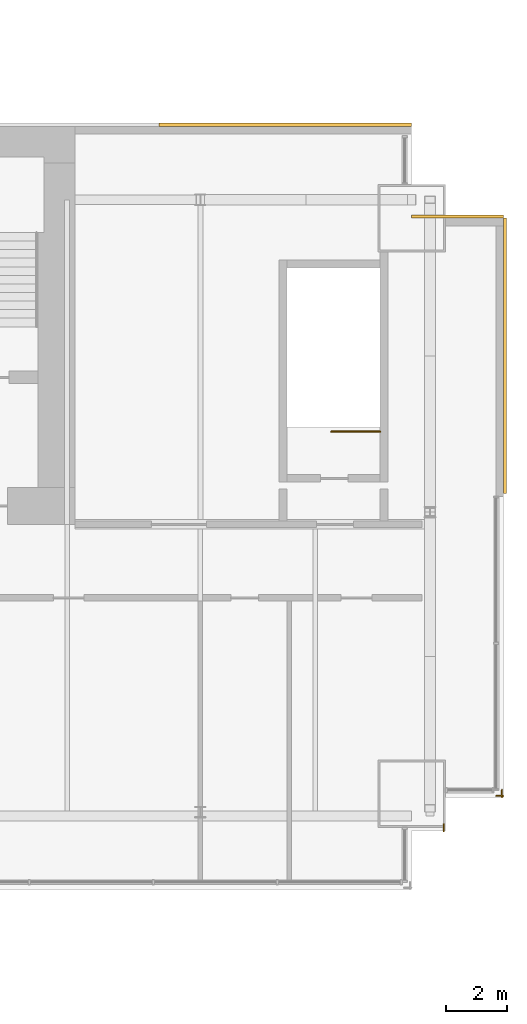
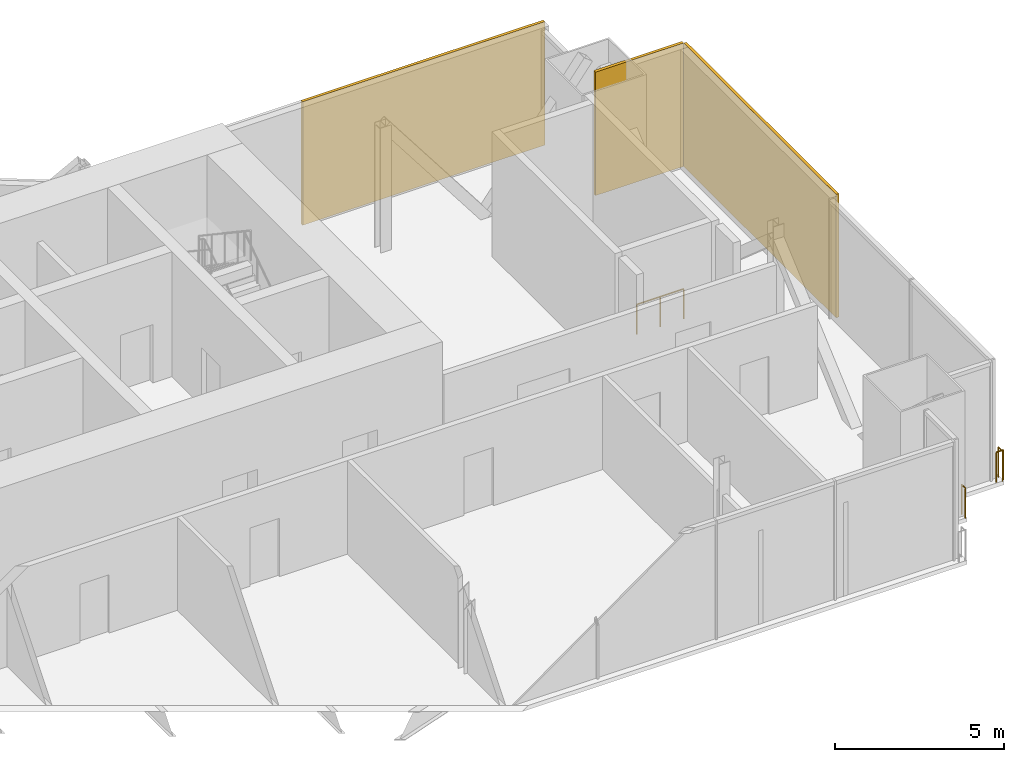
# One storey, part 16 of 16: 3 coverings, 3 railings.
"""IFC4 building model written with IfcOpenShell, lengths in metres."""

import ifcopenshell
import ifcopenshell.guid

model = None  # the IFC model being written
_history = None  # IfcOwnerHistory: only IFC2X3 demands one
_inside = {}  # id of a spatial element -> (the spatial element, [elements in it])
_under = {}  # id of a project, library or spatial element -> (it, [spatial elements below it])
_declared = {}  # id of a project -> (the project, [libraries it declares])
_typed = {}  # id of a type object -> (the type object, [elements of that type])
_made_of = {}  # id of a material, layer set ... -> (it, [elements and type objects made of it])


def new_model(schema):
    """Start an empty IFC model of exactly this schema.

    Asked for "IFC4X3", IfcOpenShell would pick the latest addendum, in which some entities
    have other attributes; the version numbers below select the first issue.
    IFC2X3 requires an IfcOwnerHistory on every rooted entity: one is made here for all.
    """
    global model, _history
    if schema == "IFC4X3":
        model = ifcopenshell.file(schema_version=(4, 3, 0, 0))
    else:
        model = ifcopenshell.file(schema=schema)
    _inside.clear()
    _under.clear()
    _declared.clear()
    _typed.clear()
    _made_of.clear()
    _history = None
    if model.schema == "IFC2X3":
        org = make("IfcOrganization", Name="unknown")
        user = make(
            "IfcPersonAndOrganization",
            ThePerson=make("IfcPerson", FamilyName="unknown"),
            TheOrganization=org,
        )
        app = make(
            "IfcApplication",
            ApplicationDeveloper=org,
            Version="unknown",
            ApplicationFullName="unknown",
            ApplicationIdentifier="unknown",
        )
        _history = make(
            "IfcOwnerHistory",
            OwningUser=user,
            OwningApplication=app,
            ChangeAction="ADDED",
            CreationDate=0,
        )
    return model


def make(cls, **values):
    """One entity of the class cls with the attributes given. An attribute that is None is left unset."""
    return model.create_entity(
        cls, **{name: value for name, value in values.items() if value is not None}
    )


def rooted(cls, **values):
    """An entity with a GlobalId (a new one), such as an element, a storey or a relation."""
    return make(cls, GlobalId=ifcopenshell.guid.new(), OwnerHistory=_history, **values)


def si_unit(unit_type, name, prefix=None):
    """IfcSIUnit, for example si_unit("LENGTHUNIT", "METRE", prefix="MILLI")."""
    return make("IfcSIUnit", UnitType=unit_type, Prefix=prefix, Name=name)


def assignment(units):
    """IfcUnitAssignment: the units of a project."""
    return None if units is None else make("IfcUnitAssignment", Units=units)


def point(xyz):
    """IfcCartesianPoint."""
    return None if xyz is None else make("IfcCartesianPoint", Coordinates=xyz)


def direction(xyz):
    """IfcDirection."""
    return None if xyz is None else make("IfcDirection", DirectionRatios=xyz)


def frame(location, z_axis=None, x_axis=None):
    """IfcAxis2Placement3D, a coordinate frame: its origin and axes. An axis left out is left unset."""
    return make(
        "IfcAxis2Placement3D",
        Location=point(location),
        Axis=direction(z_axis),
        RefDirection=direction(x_axis),
    )


def frame_2d(location, x_axis=None):
    """IfcAxis2Placement2D, a coordinate frame in the plane: its origin and x axis."""
    return make(
        "IfcAxis2Placement2D", Location=point(location), RefDirection=direction(x_axis)
    )


def origin():
    """The frame at (0, 0, 0) with its axes left unset."""
    return frame((0.0, 0.0, 0.0))


def origin_2d():
    """The frame at (0, 0) in the plane with its x axis left unset."""
    return frame_2d((0.0, 0.0))


def place(relative_to, where):
    """IfcLocalPlacement: puts the frame where relative to a parent placement (None: the world)."""
    return make(
        "IfcLocalPlacement", PlacementRelTo=relative_to, RelativePlacement=where
    )


def context(
    kind, dimensions, precision=None, world=None, true_north=None, identifier=None
):
    """IfcGeometricRepresentationContext, for example the 3D "Model" context."""
    return make(
        "IfcGeometricRepresentationContext",
        ContextIdentifier=identifier,
        ContextType=kind,
        CoordinateSpaceDimension=dimensions,
        Precision=precision,
        WorldCoordinateSystem=world,
        TrueNorth=true_north,
    )


def subcontext(parent, identifier, kind, view, scale=None):
    """IfcGeometricRepresentationSubContext, for example "Body" below "Model"."""
    return make(
        "IfcGeometricRepresentationSubContext",
        ContextIdentifier=identifier,
        ContextType=kind,
        ParentContext=parent,
        TargetScale=scale,
        TargetView=view,
    )


def project(units=None, contexts=None):
    """IfcProject with its units and contexts."""
    return rooted(
        "IfcProject",
        Name="project",
        RepresentationContexts=contexts,
        UnitsInContext=assignment(units),
    )


def spatial(cls, under=None, at=None, **own):
    """A site, building, storey or space (cls), placed at a placement, below another one or the project."""
    s = rooted(cls, ObjectPlacement=at, **own)
    if under is not None:
        _under.setdefault(under.id(), (under, []))[1].append(s)
    return s


def profile(cls, at=None, kind="AREA", **sizes):
    """A parametric profile (cls). Its sizes go by their IFC names, for example OverallWidth=200.0."""
    return make(cls, ProfileType=kind, Position=at, **sizes)


def rectangle(**sizes):
    """IfcRectangleProfileDef."""
    return profile("IfcRectangleProfileDef", **sizes)


def circle(**sizes):
    """IfcCircleProfileDef."""
    return profile("IfcCircleProfileDef", **sizes)


def extrude(swept, where, along, depth):
    """IfcExtrudedAreaSolid: the profile swept, set in the frame where, extruded along a direction by depth."""
    return make(
        "IfcExtrudedAreaSolid",
        SweptArea=swept,
        Position=where,
        ExtrudedDirection=direction(along),
        Depth=depth,
    )


def shape(context_of_items, identifier, shape_type, items):
    """IfcShapeRepresentation: the items that make up one representation, for example the "Body"."""
    return make(
        "IfcShapeRepresentation",
        ContextOfItems=context_of_items,
        RepresentationIdentifier=identifier,
        RepresentationType=shape_type,
        Items=items,
    )


def material(Name=None, Category=None):
    """IfcMaterial."""
    return make("IfcMaterial", Name=Name, Category=Category)


def layer(
    of_material, thickness, ventilated=None, Name=None, Category=None, Priority=None
):
    """IfcMaterialLayer: one layer of a wall or slab, of a material (None: an air gap)."""
    return make(
        "IfcMaterialLayer",
        Material=of_material,
        LayerThickness=thickness,
        IsVentilated=ventilated,
        Name=Name,
        Category=Category,
        Priority=Priority,
    )


def layer_set(layers, Name=None):
    """IfcMaterialLayerSet."""
    return make("IfcMaterialLayerSet", MaterialLayers=layers, LayerSetName=Name)


def made_of(thing, what):
    """Note that an element or type object is made of a material, layer set ...; save() writes the relation."""
    if what is not None:
        _made_of.setdefault(what.id(), (what, []))[1].append(thing)
    return thing


def type_object(cls, material=None, **own):
    """A type object (cls), such as IfcWallType, which elements share."""
    return made_of(rooted(cls, **own), material)


def element(
    cls,
    number,
    at=None,
    inside=None,
    cuts=None,
    type_object=None,
    material=None,
    context=None,
    identifier="Body",
    shape_type=None,
    held_by="IfcProductDefinitionShape",
    body=None,
    shapes=None,
    **own,
):
    """One element of the class cls, such as IfcWall. Its Tag is "e" and its number.

    at: its placement. inside: the storey or other place that contains it. cuts: it is an
    opening in that element (IfcRelVoidsElement). A single representation is given by context,
    identifier, shape_type and body (its items); several are given by shapes. held_by: the class
    of the entity that holds the representations. save() writes the other relations.
    """
    e = rooted(cls, Tag="e%d" % number, ObjectPlacement=at, **own)
    if body is not None:
        shapes = [shape(context, identifier, shape_type, body)]
    if shapes is not None:
        e.Representation = make(held_by, Representations=shapes)
    if inside is not None:
        _inside.setdefault(inside.id(), (inside, []))[1].append(e)
    if cuts is not None:
        rooted(
            "IfcRelVoidsElement", RelatingBuildingElement=cuts, RelatedOpeningElement=e
        )
    if type_object is not None:
        _typed.setdefault(type_object.id(), (type_object, []))[1].append(e)
    return made_of(e, material)


def aggregate(whole, parts):
    """IfcRelAggregates: a whole, such as a stair, and the parts it consists of."""
    return rooted("IfcRelAggregates", RelatingObject=whole, RelatedObjects=parts)


def save(model, path):
    """Write the relations noted so far, then the file.

    IfcRelAggregates (storeys below a building ...), IfcRelContainedInSpatialStructure (elements
    in a storey), IfcRelDefinesByType, IfcRelAssociatesMaterial and IfcRelDeclares: one each for
    every whole, place, type object, material and project.
    """
    for whole, parts in _under.values():
        aggregate(whole, parts)
    for where, things in _inside.values():
        rooted(
            "IfcRelContainedInSpatialStructure",
            RelatedElements=things,
            RelatingStructure=where,
        )
    for kind, things in _typed.values():
        rooted("IfcRelDefinesByType", RelatedObjects=things, RelatingType=kind)
    for what, things in _made_of.values():
        rooted("IfcRelAssociatesMaterial", RelatedObjects=things, RelatingMaterial=what)
    for by, libraries in _declared.values():
        rooted("IfcRelDeclares", RelatingContext=by, RelatedDefinitions=libraries)
    model.write(path)


model = new_model("IFC4")

# Units and contexts
model_context = context("Model", 3, precision=1e-05, world=origin(), true_north=direction((0.0, 1.0)))
body_context = subcontext(model_context, "Body", "Model", "MODEL_VIEW")
ifc_project = project(units=[si_unit("LENGTHUNIT", "METRE"), si_unit("AREAUNIT", "SQUARE_METRE"), si_unit("VOLUMEUNIT", "CUBIC_METRE"), si_unit("PLANEANGLEUNIT", "RADIAN"), si_unit("MASSUNIT", "GRAM", prefix="KILO")], contexts=[model_context])

# Site, building, storey
site_placement = place(None, origin())
site = spatial("IfcSite", under=ifc_project, at=site_placement, CompositionType="ELEMENT")
building_placement = place(site_placement, origin())
building = spatial("IfcBuilding", under=site, at=building_placement, Name="Bicima Exchange Tower", CompositionType="ELEMENT")
storey_placement = place(building_placement, frame((0.0, 0.0, 338.0)))
storey = spatial("IfcBuildingStorey", under=building, at=storey_placement, Name="L76", CompositionType="ELEMENT", Elevation=338.0)

# Coverings
ifc_material_1 = material(Name="Bronze metal cladding")
ifc_layer_1 = layer(ifc_material_1, 0.004)
ifc_material_2 = material(Name="Ventilated cavity")
ifc_layer_2 = layer(ifc_material_2, 0.06)
ifc_material_3 = material(Name="Galvanised steel rail and mineral wool", Category="steel")
ifc_layer_3 = layer(ifc_material_3, 0.036)
ifc_layer_set = layer_set([ifc_layer_1, ifc_layer_2, ifc_layer_3], Name="Ventilated cavity")
covering_type = type_object("IfcCoveringType", Name="Bronze metal cladding panel 100", PredefinedType="CLADDING", material=ifc_layer_set)
covering_1_placement = place(storey_placement, frame((28.875, 0.050048828125, -0.14990234375), z_axis=(0.0, 0.0, 1.0), x_axis=(-1.0, 0.0, 0.0)))
element("IfcCovering", 1, at=covering_1_placement, inside=storey, type_object=covering_type, Name="Bronze cladding L76 1.1", PredefinedType="CLADDING", context=body_context, shape_type="SweptSolid", body=[
    extrude(rectangle(XDim=8.25, YDim=0.10009765625, at=origin_2d()), origin(), (0.0, 0.0, 1.0), 4.449951171875),
])
covering_2_placement = place(storey_placement, frame((36.050048828125, -7.5, -0.14990234375), z_axis=(0.0, 0.0, 1.0), x_axis=(0.0, 1.0, 0.0)))
element("IfcCovering", 2, at=covering_2_placement, inside=storey, type_object=covering_type, Name="Bronze cladding L76 50.1", PredefinedType="CLADDING", context=body_context, shape_type="SweptSolid", body=[
    extrude(rectangle(XDim=9.0, YDim=0.10009765625, at=origin_2d()), origin(), (0.0, 0.0, 1.0), 4.449951171875),
])
covering_3_placement = place(storey_placement, frame((34.5, -2.949951171875, -0.14990234375), z_axis=(0.0, 0.0, 1.0), x_axis=(-1.0, 0.0, 0.0)))
element("IfcCovering", 3, at=covering_3_placement, inside=storey, type_object=covering_type, Name="Bronze cladding L76 51.1", PredefinedType="CLADDING", context=body_context, shape_type="SweptSolid", body=[
    extrude(rectangle(XDim=3.0, YDim=0.10009765625, at=origin_2d()), origin(), (0.0, 0.0, 1.0), 4.449951171875),
])

# Railings
ifc_material_4 = material(Name="Stainless steel and bonded safety glass", Category="steel")
railing_type_1 = type_object("IfcRailingType", Name="Edge guard 1100", PredefinedType="GUARDRAIL", material=ifc_material_4)
railing_1_placement = place(storey_placement, frame((35.949951171875, -21.6708984375, 0.0)))
element("IfcRailing", 4, at=railing_1_placement, inside=storey, type_object=railing_type_1, Name="Edge guard L76 398", PredefinedType="GUARDRAIL", context=body_context, shape_type="SweptSolid", body=[
    extrude(circle(Radius=0.02392578125, at=origin_2d()), frame((0.0, 0.0, 1.076171875), z_axis=(0.0, -1.0, 0.0), x_axis=(1.0, 0.0, 0.0)), (0.0, 0.0, 1.0), 0.2490234375),
    extrude(circle(Radius=0.02392578125, at=origin_2d()), frame((0.0, -0.2490234375, 1.076171875), z_axis=(0.708833529934, 0.705375805398, 0.0), x_axis=(-0.705375805398, 0.708833529934, 0.0)), (0.0, 0.0, 1.0), 0.070556640625),
    extrude(circle(Radius=0.02392578125, at=origin_2d()), frame((0.050048828125, -0.19921875, 1.076171875), z_axis=(-1.0, 0.0, 0.0), x_axis=(0.0, -1.0, 0.0)), (0.0, 0.0, 1.0), 0.237060546875),
    extrude(circle(Radius=0.02099609375, at=origin_2d()), origin(), (0.0, 0.0, 1.0), 1.052001953125),
    extrude(circle(Radius=0.02099609375, at=origin_2d()), frame((0.0, -0.2490234375, 0.0)), (0.0, 0.0, 1.0), 1.052001953125),
    extrude(circle(Radius=0.02099609375, at=origin_2d()), frame((0.050048828125, -0.19921875, 0.0)), (0.0, 0.0, 1.0), 1.052001953125),
    extrude(circle(Radius=0.02099609375, at=origin_2d()), frame((-0.18701171875, -0.19921875, 0.0)), (0.0, 0.0, 1.0), 1.052001953125),
])
railing_2_placement = place(storey_placement, frame((34.050048828125, -22.800048828125, 0.0)))
element("IfcRailing", 5, at=railing_2_placement, inside=storey, type_object=railing_type_1, Name="Edge guard L76 399", PredefinedType="GUARDRAIL", context=body_context, shape_type="SweptSolid", body=[
    extrude(circle(Radius=0.02392578125, at=origin_2d()), frame((0.0, 0.0, 1.076171875), z_axis=(0.0, -1.0, 0.0), x_axis=(1.0, 0.0, 0.0)), (0.0, 0.0, 1.0), 0.219970703125),
    extrude(circle(Radius=0.02099609375, at=origin_2d()), origin(), (0.0, 0.0, 1.0), 1.052001953125),
    extrude(circle(Radius=0.02099609375, at=origin_2d()), frame((0.0, -0.219970703125, 0.0)), (0.0, 0.0, 1.0), 1.052001953125),
])
ifc_material_5 = material(Name="Stainless steel", Category="steel")
railing_type_2 = type_object("IfcRailingType", Name="Stair guard 1100", PredefinedType="GUARDRAIL", material=ifc_material_5)
railing_3_placement = place(storey_placement, frame((31.97509765625, -9.97509765625, 0.0)))
element("IfcRailing", 6, at=railing_3_placement, inside=storey, type_object=railing_type_2, Name="L76 ST-EE top well guard 1", PredefinedType="GUARDRAIL", context=body_context, shape_type="SweptSolid", body=[
    extrude(circle(Radius=0.02392578125, at=origin_2d()), frame((0.0, 0.0, 1.076171875), z_axis=(-1.0, 0.0, 0.0), x_axis=(0.0, -1.0, 0.0)), (0.0, 0.0, 1.0), 1.60009765625),
    extrude(circle(Radius=0.02099609375, at=origin_2d()), origin(), (0.0, 0.0, 1.0), 1.052001953125),
    extrude(circle(Radius=0.02099609375, at=origin_2d()), frame((-0.800048828125, 0.0, 0.0)), (0.0, 0.0, 1.0), 1.052001953125),
    extrude(circle(Radius=0.02099609375, at=origin_2d()), frame((-1.60009765625, 0.0, 0.0)), (0.0, 0.0, 1.0), 1.052001953125),
])

save(model, "model.ifc")
